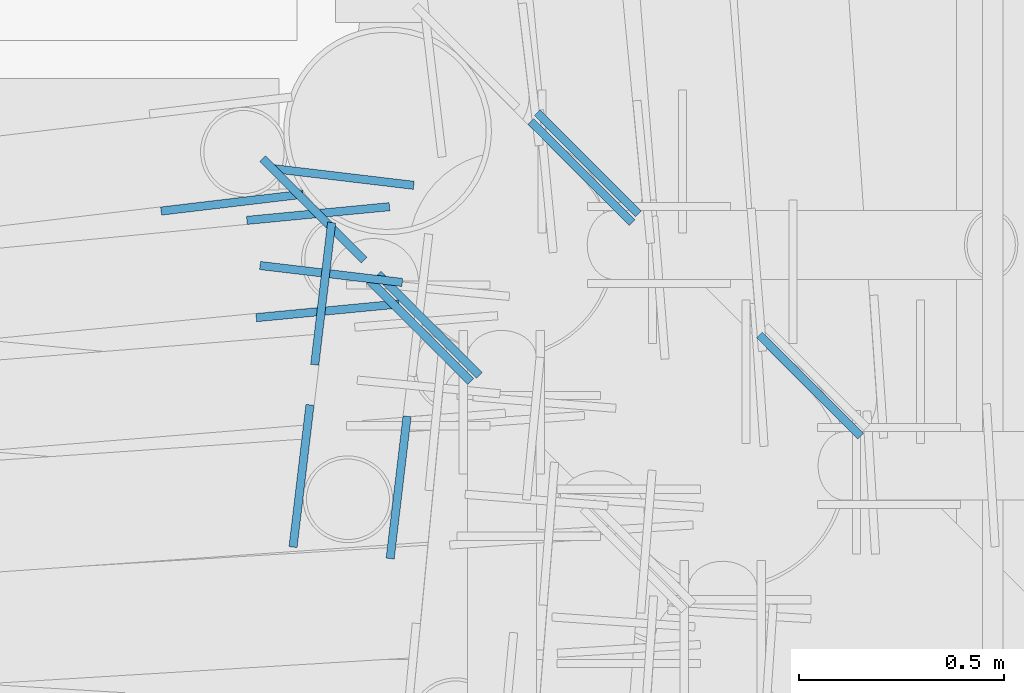
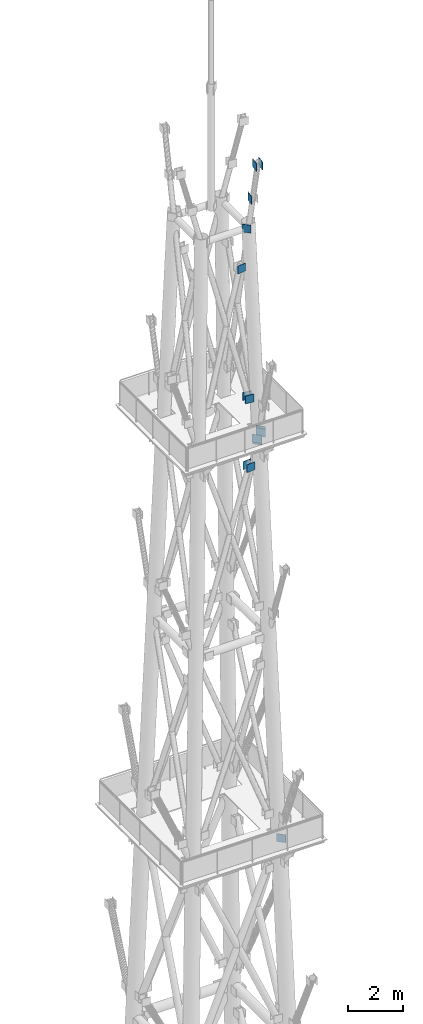
# One storey, part 10 of 25: 14 discrete accessories.
"""IFC4 building model written with IfcOpenShell, lengths in metres."""

from ifc_helpers import new_model, si_unit, direction, frame, origin, origin_2d, place, context, subcontext, project, spatial, rectangle, extrude, element, save


model = new_model("IFC4")

# Units and contexts
model_context = context("Model", 3, precision=1e-05, world=origin(), true_north=direction((0.0, 1.0)))
body_context = subcontext(model_context, "Body", "Model", "MODEL_VIEW")
ifc_project = project(units=[si_unit("LENGTHUNIT", "METRE"), si_unit("AREAUNIT", "SQUARE_METRE"), si_unit("VOLUMEUNIT", "CUBIC_METRE"), si_unit("PLANEANGLEUNIT", "RADIAN"), si_unit("MASSUNIT", "GRAM", prefix="KILO")], contexts=[model_context])

# Site, building, storey
site_placement = place(None, origin())
site = spatial("IfcSite", under=ifc_project, at=site_placement, CompositionType="ELEMENT")
building_placement = place(site_placement, origin())
building = spatial("IfcBuilding", under=site, at=building_placement, Name="Vidyagriha Tower", CompositionType="ELEMENT")
storey_placement = place(building_placement, frame((0.0, 0.0, 318.39990234375)))
storey = spatial("IfcBuildingStorey", under=building, at=storey_placement, Name="RF", CompositionType="ELEMENT", Elevation=318.39990234375)

# Discrete accessories
for number, where, z_axis, x_axis, name in (
    (1, (2.02294921875, 11.386474609375, 22.5498046875), (0.0, 0.0, 1.0), (-0.707106781187, 0.707106781187, 0.0), "End plate ASTM A572 Grade 50 20mm"),
    (2, (1.070556640625, 11.52001953125, 40.650146484375), (0.0, 0.0, 1.0), (-0.707106781187, 0.707106781187, 0.0), "End plate ASTM A572 Grade 50 20mm"),
    (3, (1.47998046875, 11.929443359375, 40.650146484375), (0.0, 0.0, 1.0), (-0.707106781187, 0.707106781187, 0.0), "End plate ASTM A572 Grade 50 20mm"),
    (4, (1.091552734375, 11.53515625, 40.5498046875), (0.0, 0.0, 1.0), (-0.707106781187, 0.707106781187, 0.0), "End plate ASTM A572 Grade 50 20mm"),
    (5, (1.46484375, 11.908447265625, 40.5498046875), (0.0, 0.0, 1.0), (-0.707106781187, 0.707106781187, 0.0), "End plate ASTM A572 Grade 50 20mm"),
    (6, (0.8095703125, 11.817138671875, 49.9501953125), (0.0, 0.0, 1.0), (-0.707106781187, 0.707106781187, 0.0), "End plate ASTM A572 Grade 50 20mm"),
    (7, (0.8212890625, 11.806884765625, 39.424560546875), (0.0, 0.0, 1.0), (0.995415248857, 0.095647699097, 0.0), "End plate ASTM A572 Grade 50 20mm"),
    (8, (0.84423828125, 11.569091796875, 39.424560546875), (0.0, 0.0, 1.0), (0.995415248857, 0.095647699097, 0.0), "End plate ASTM A572 Grade 50 20mm"),
    (9, (0.611083984375, 11.83349609375, 48.227783203125), (0.0, 0.0, 1.0), (0.99299585355, 0.118149205805, 0.0), "End plate ASTM A572 Grade 50 20mm"),
    (10, (0.881103515625, 11.896484375, 42.42236328125), (0.0, 0.0, 1.0), (0.99299977098, -0.118116276751, 0.0), "End plate ASTM A572 Grade 50 20mm"),
    (11, (0.85302734375, 11.6591796875, 42.42236328125), (0.0, 0.0, 1.0), (0.99299977098, -0.118116276751, 0.0), "End plate ASTM A572 Grade 50 20mm"),
    (12, (0.83349609375, 11.611083984375, 51.42236328125), (0.0, 0.0, 1.0), (0.118142273384, 0.992996678363, 0.0), "End plate ASTM A572 Grade 50 20mm"),
    (13, (1.017822265625, 11.137451171875, 53.189453125), (0.0, 0.0, 1.0), (-0.118142273384, -0.992996678363, 0.0), "End plate ASTM A572 Grade 50 20mm"),
    (14, (0.780517578125, 11.16552734375, 53.189453125), (0.0, 0.0, 1.0), (-0.118142273384, -0.992996678363, 0.0), "End plate ASTM A572 Grade 50 20mm"),
):
    element("IfcDiscreteAccessory", number, at=place(storey_placement, frame(where, z_axis=z_axis, x_axis=x_axis)), inside=storey, Name=name, ObjectType="END PLATE", PredefinedType="USERDEFINED", context=body_context, shape_type="SweptSolid", body=[
        extrude(rectangle(XDim=0.35009765625, YDim=0.02001953125, at=origin_2d()), origin(), (0.0, 0.0, 1.0), 0.35009765625),
    ])

save(model, "model.ifc")
